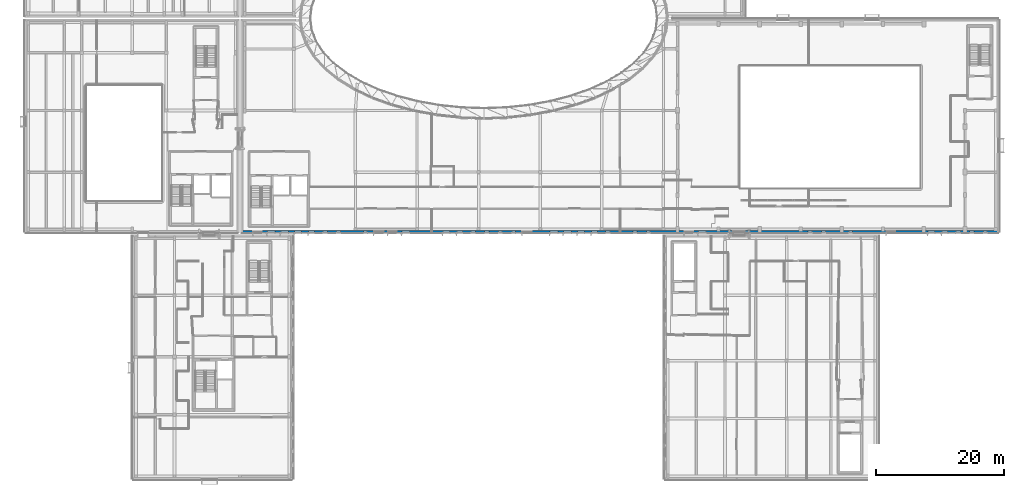
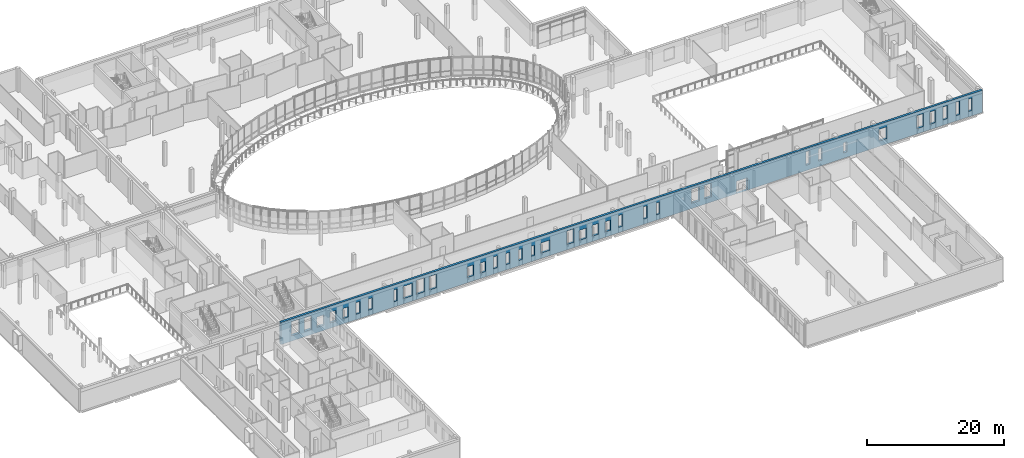
# One storey, part 47 of 84: 1 wall, 37 openings.
"""IFC4 building model written with IfcOpenShell, lengths in metres."""

from ifc_helpers import new_model, si_unit, direction, frame, frame_2d, origin, place, context, subcontext, project, spatial, rectangle, extrude, material, layer, layer_set, type_object, element, save


model = new_model("IFC4")

# Units and contexts
model_context = context("Model", 3, precision=1e-05, world=origin(), true_north=direction((0.0, 1.0)))
body_context = subcontext(model_context, "Body", "Model", "MODEL_VIEW")
ifc_project = project(units=[si_unit("LENGTHUNIT", "METRE"), si_unit("AREAUNIT", "SQUARE_METRE"), si_unit("VOLUMEUNIT", "CUBIC_METRE"), si_unit("PLANEANGLEUNIT", "RADIAN"), si_unit("MASSUNIT", "GRAM", prefix="KILO")], contexts=[model_context])

# Site, building, storey
site_placement = place(None, origin())
site = spatial("IfcSite", under=ifc_project, at=site_placement, CompositionType="ELEMENT")
building_placement = place(site_placement, origin())
building = spatial("IfcBuilding", under=site, at=building_placement, Name="Mzevani Central Library", CompositionType="ELEMENT")
storey_placement = place(building_placement, frame((0.0, 0.0, 5.39990234375)))
storey = spatial("IfcBuildingStorey", under=building, at=storey_placement, Name="L01", CompositionType="ELEMENT", Elevation=5.39990234375)

# Wall, openings
ifc_material = material(Name="Precast concrete C40/50", Category="concrete")
ifc_layer = layer(ifc_material, 0.3798828125, Name="Exterior Thermal Concrete Wall 380")
ifc_layer_set = layer_set([ifc_layer], Name="Precast concrete C40/50")
wall_type = type_object("IfcWallType", Name="Exterior Thermal Concrete Wall 380", PredefinedType="STANDARD", material=ifc_layer_set)
wall_placement = place(storey_placement, frame((164.2099609375, 42.68994140625, 0.0), z_axis=(0.0, 0.0, 1.0), x_axis=(-1.0, 0.0, 0.0)))
wall = element("IfcWall", 1, at=wall_placement, inside=storey, type_object=wall_type, Name="L01 V1 Exterior Thermal Wall (6)", PredefinedType="STANDARD", context=body_context, shape_type="SweptSolid", body=[
    extrude(rectangle(XDim=117.919921875, YDim=0.3798828125, at=frame_2d((58.9599609375, 0.0))), origin(), (0.0, 0.0, 1.0), 3.940185546875),
])
opening_1_placement = place(wall_placement, frame((39.510009765625, 0.0, 0.0)))
element("IfcOpeningElement", 2, at=opening_1_placement, cuts=wall, Name="Opening FD-06", PredefinedType="OPENING", context=body_context, shape_type="SweptSolid", body=[
    extrude(rectangle(XDim=1.800048828125, YDim=2.199951171875, at=frame_2d((0.89990234375, 1.10009765625))), frame((0.0, 0.199951171875, 0.0), z_axis=(0.0, -1.0, 0.0), x_axis=(1.0, 0.0, 0.0)), (0.0, 0.0, 1.0), 0.39990234375),
])
opening_2_placement = place(wall_placement, frame((1.75, 0.0, 0.949951171875)))
element("IfcOpeningElement", 3, at=opening_2_placement, cuts=wall, Name="Opening WS-04", PredefinedType="OPENING", context=body_context, shape_type="SweptSolid", body=[
    extrude(rectangle(XDim=0.60009765625, YDim=2.199951171875, at=frame_2d((0.300048828125, 1.10009765625))), frame((0.0, 0.199951171875, 0.0), z_axis=(0.0, -1.0, 0.0), x_axis=(1.0, 0.0, 0.0)), (0.0, 0.0, 1.0), 0.39990234375),
])
opening_3_placement = place(wall_placement, frame((3.824951171875, 0.0, 0.949951171875)))
element("IfcOpeningElement", 4, at=opening_3_placement, cuts=wall, Name="Opening WS-06", PredefinedType="OPENING", context=body_context, shape_type="SweptSolid", body=[
    extrude(rectangle(XDim=0.64990234375, YDim=2.39990234375, at=frame_2d((0.324951171875, 1.199951171875))), frame((0.0, 0.199951171875, 0.0), z_axis=(0.0, -1.0, 0.0), x_axis=(1.0, 0.0, 0.0)), (0.0, 0.0, 1.0), 0.39990234375),
])
opening_4_placement = place(wall_placement, frame((5.875, 0.0, 0.949951171875)))
element("IfcOpeningElement", 5, at=opening_4_placement, cuts=wall, Name="Opening WS-08", PredefinedType="OPENING", context=body_context, shape_type="SweptSolid", body=[
    extrude(rectangle(XDim=0.75, YDim=2.300048828125, at=frame_2d((0.375, 1.14990234375))), frame((0.0, 0.199951171875, 0.0), z_axis=(0.0, -1.0, 0.0), x_axis=(1.0, 0.0, 0.0)), (0.0, 0.0, 1.0), 0.39990234375),
])
opening_5_placement = place(wall_placement, frame((7.89990234375, 0.0, 0.949951171875)))
element("IfcOpeningElement", 6, at=opening_5_placement, cuts=wall, Name="Opening W-02", PredefinedType="OPENING", context=body_context, shape_type="SweptSolid", body=[
    extrude(rectangle(XDim=0.89990234375, YDim=2.199951171875, at=frame_2d((0.449951171875, 1.10009765625))), frame((0.0, 0.199951171875, 0.0), z_axis=(0.0, -1.0, 0.0), x_axis=(1.0, 0.0, 0.0)), (0.0, 0.0, 1.0), 0.39990234375),
])
opening_6_placement = place(wall_placement, frame((9.925048828125, 0.0, 0.949951171875)))
element("IfcOpeningElement", 7, at=opening_6_placement, cuts=wall, Name="Opening W-04", PredefinedType="OPENING", context=body_context, shape_type="SweptSolid", body=[
    extrude(rectangle(XDim=1.050048828125, YDim=2.300048828125, at=frame_2d((0.52490234375, 1.14990234375))), frame((0.0, 0.199951171875, 0.0), z_axis=(0.0, -1.0, 0.0), x_axis=(1.0, 0.0, 0.0)), (0.0, 0.0, 1.0), 0.39990234375),
])
opening_7_placement = place(wall_placement, frame((16.074951171875, 0.0, 0.949951171875)))
element("IfcOpeningElement", 8, at=opening_7_placement, cuts=wall, Name="Opening W-08", PredefinedType="OPENING", context=body_context, shape_type="SweptSolid", body=[
    extrude(rectangle(XDim=1.35009765625, YDim=2.10009765625, at=frame_2d((0.675048828125, 1.050048828125))), frame((0.0, 0.199951171875, 0.0), z_axis=(0.0, -1.0, 0.0), x_axis=(1.0, 0.0, 0.0)), (0.0, 0.0, 1.0), 0.39990234375),
])
opening_8_placement = place(wall_placement, frame((22.77490234375, 0.0, 0.949951171875)))
element("IfcOpeningElement", 9, at=opening_8_placement, cuts=wall, Name="Opening WS-01", PredefinedType="OPENING", context=body_context, shape_type="SweptSolid", body=[
    extrude(rectangle(XDim=0.550048828125, YDim=1.800048828125, at=frame_2d((0.27490234375, 0.89990234375))), frame((0.0, 0.199951171875, 0.0), z_axis=(0.0, -1.0, 0.0), x_axis=(1.0, 0.0, 0.0)), (0.0, 0.0, 1.0), 0.39990234375),
])
opening_9_placement = place(wall_placement, frame((26.949951171875, 0.0, 0.949951171875)))
element("IfcOpeningElement", 10, at=opening_9_placement, cuts=wall, Name="Opening WS-04", PredefinedType="OPENING", context=body_context, shape_type="SweptSolid", body=[
    extrude(rectangle(XDim=0.60009765625, YDim=2.199951171875, at=frame_2d((0.300048828125, 1.10009765625))), frame((0.0, 0.199951171875, 0.0), z_axis=(0.0, -1.0, 0.0), x_axis=(1.0, 0.0, 0.0)), (0.0, 0.0, 1.0), 0.39990234375),
])
opening_10_placement = place(wall_placement, frame((29.02490234375, 0.0, 0.949951171875)))
element("IfcOpeningElement", 11, at=opening_10_placement, cuts=wall, Name="Opening WS-06", PredefinedType="OPENING", context=body_context, shape_type="SweptSolid", body=[
    extrude(rectangle(XDim=0.64990234375, YDim=2.39990234375, at=frame_2d((0.324951171875, 1.199951171875))), frame((0.0, 0.199951171875, 0.0), z_axis=(0.0, -1.0, 0.0), x_axis=(1.0, 0.0, 0.0)), (0.0, 0.0, 1.0), 0.39990234375),
])
opening_11_placement = place(wall_placement, frame((45.550048828125, 0.0, 0.949951171875)))
element("IfcOpeningElement", 12, at=opening_11_placement, cuts=wall, Name="Opening W-07", PredefinedType="OPENING", context=body_context, shape_type="SweptSolid", body=[
    extrude(rectangle(XDim=1.199951171875, YDim=2.39990234375, at=frame_2d((0.60009765625, 1.199951171875))), frame((0.0, 0.199951171875, 0.0), z_axis=(0.0, -1.0, 0.0), x_axis=(1.0, 0.0, 0.0)), (0.0, 0.0, 1.0), 0.39990234375),
])
opening_12_placement = place(wall_placement, frame((47.574951171875, 0.0, 0.949951171875)))
element("IfcOpeningElement", 13, at=opening_12_placement, cuts=wall, Name="Opening W-09", PredefinedType="OPENING", context=body_context, shape_type="SweptSolid", body=[
    extrude(rectangle(XDim=1.35009765625, YDim=2.5, at=frame_2d((0.675048828125, 1.25))), frame((0.0, 0.199951171875, 0.0), z_axis=(0.0, -1.0, 0.0), x_axis=(1.0, 0.0, 0.0)), (0.0, 0.0, 1.0), 0.39990234375),
])
opening_13_placement = place(wall_placement, frame((54.27490234375, 0.0, 0.949951171875)))
element("IfcOpeningElement", 14, at=opening_13_placement, cuts=wall, Name="Opening WS-02", PredefinedType="OPENING", context=body_context, shape_type="SweptSolid", body=[
    extrude(rectangle(XDim=0.550048828125, YDim=2.10009765625, at=frame_2d((0.27490234375, 1.050048828125))), frame((0.0, 0.199951171875, 0.0), z_axis=(0.0, -1.0, 0.0), x_axis=(1.0, 0.0, 0.0)), (0.0, 0.0, 1.0), 0.39990234375),
])
opening_14_placement = place(wall_placement, frame((56.35009765625, 0.0, 0.949951171875)))
element("IfcOpeningElement", 15, at=opening_14_placement, cuts=wall, Name="Opening WS-04", PredefinedType="OPENING", context=body_context, shape_type="SweptSolid", body=[
    extrude(rectangle(XDim=0.60009765625, YDim=2.199951171875, at=frame_2d((0.300048828125, 1.10009765625))), frame((0.0, 0.199951171875, 0.0), z_axis=(0.0, -1.0, 0.0), x_axis=(1.0, 0.0, 0.0)), (0.0, 0.0, 1.0), 0.39990234375),
])
opening_15_placement = place(wall_placement, frame((60.5, 0.0, 0.949951171875)))
element("IfcOpeningElement", 16, at=opening_15_placement, cuts=wall, Name="Opening WS-07", PredefinedType="OPENING", context=body_context, shape_type="SweptSolid", body=[
    extrude(rectangle(XDim=0.699951171875, YDim=2.10009765625, at=frame_2d((0.35009765625, 1.050048828125))), frame((0.0, 0.199951171875, 0.0), z_axis=(0.0, -1.0, 0.0), x_axis=(1.0, 0.0, 0.0)), (0.0, 0.0, 1.0), 0.39990234375),
])
opening_16_placement = place(wall_placement, frame((62.5, 0.0, 0.949951171875)))
element("IfcOpeningElement", 17, at=opening_16_placement, cuts=wall, Name="Opening W-01", PredefinedType="OPENING", context=body_context, shape_type="SweptSolid", body=[
    extrude(rectangle(XDim=0.89990234375, YDim=1.800048828125, at=frame_2d((0.449951171875, 0.89990234375))), frame((0.0, 0.199951171875, 0.0), z_axis=(0.0, -1.0, 0.0), x_axis=(1.0, 0.0, 0.0)), (0.0, 0.0, 1.0), 0.39990234375),
])
opening_17_placement = place(wall_placement, frame((64.52490234375, 0.0, 0.949951171875)))
element("IfcOpeningElement", 18, at=opening_17_placement, cuts=wall, Name="Opening W-03", PredefinedType="OPENING", context=body_context, shape_type="SweptSolid", body=[
    extrude(rectangle(XDim=1.050048828125, YDim=1.89990234375, at=frame_2d((0.52490234375, 0.949951171875))), frame((0.0, 0.199951171875, 0.0), z_axis=(0.0, -1.0, 0.0), x_axis=(1.0, 0.0, 0.0)), (0.0, 0.0, 1.0), 0.39990234375),
])
opening_18_placement = place(wall_placement, frame((66.550048828125, 0.0, 0.949951171875)))
element("IfcOpeningElement", 19, at=opening_18_placement, cuts=wall, Name="Opening W-05", PredefinedType="OPENING", context=body_context, shape_type="SweptSolid", body=[
    extrude(rectangle(XDim=1.199951171875, YDim=1.800048828125, at=frame_2d((0.60009765625, 0.89990234375))), frame((0.0, 0.199951171875, 0.0), z_axis=(0.0, -1.0, 0.0), x_axis=(1.0, 0.0, 0.0)), (0.0, 0.0, 1.0), 0.39990234375),
])
opening_19_placement = place(wall_placement, frame((68.64990234375, 0.0, 0.949951171875)))
element("IfcOpeningElement", 20, at=opening_19_placement, cuts=wall, Name="Opening W-07", PredefinedType="OPENING", context=body_context, shape_type="SweptSolid", body=[
    extrude(rectangle(XDim=1.199951171875, YDim=2.39990234375, at=frame_2d((0.60009765625, 1.199951171875))), frame((0.0, 0.199951171875, 0.0), z_axis=(0.0, -1.0, 0.0), x_axis=(1.0, 0.0, 0.0)), (0.0, 0.0, 1.0), 0.39990234375),
])
opening_20_placement = place(wall_placement, frame((72.699951171875, 0.0, 0.949951171875)))
element("IfcOpeningElement", 21, at=opening_20_placement, cuts=wall, Name="Opening W-10", PredefinedType="OPENING", context=body_context, shape_type="SweptSolid", body=[
    extrude(rectangle(XDim=1.5, YDim=1.800048828125, at=frame_2d((0.75, 0.89990234375))), frame((0.0, 0.199951171875, 0.0), z_axis=(0.0, -1.0, 0.0), x_axis=(1.0, 0.0, 0.0)), (0.0, 0.0, 1.0), 0.39990234375),
])
opening_21_placement = place(wall_placement, frame((75.27490234375, 0.0, 0.949951171875)))
element("IfcOpeningElement", 22, at=opening_21_placement, cuts=wall, Name="Opening WS-01", PredefinedType="OPENING", context=body_context, shape_type="SweptSolid", body=[
    extrude(rectangle(XDim=0.550048828125, YDim=1.800048828125, at=frame_2d((0.27490234375, 0.89990234375))), frame((0.0, 0.199951171875, 0.0), z_axis=(0.0, -1.0, 0.0), x_axis=(1.0, 0.0, 0.0)), (0.0, 0.0, 1.0), 0.39990234375),
])
opening_22_placement = place(wall_placement, frame((77.35009765625, 0.0, 0.949951171875)))
element("IfcOpeningElement", 23, at=opening_22_placement, cuts=wall, Name="Opening WS-03", PredefinedType="OPENING", context=body_context, shape_type="SweptSolid", body=[
    extrude(rectangle(XDim=0.60009765625, YDim=1.89990234375, at=frame_2d((0.300048828125, 0.949951171875))), frame((0.0, 0.199951171875, 0.0), z_axis=(0.0, -1.0, 0.0), x_axis=(1.0, 0.0, 0.0)), (0.0, 0.0, 1.0), 0.39990234375),
])
opening_23_placement = place(wall_placement, frame((79.425048828125, 0.0, 0.949951171875)))
element("IfcOpeningElement", 24, at=opening_23_placement, cuts=wall, Name="Opening WS-05", PredefinedType="OPENING", context=body_context, shape_type="SweptSolid", body=[
    extrude(rectangle(XDim=0.64990234375, YDim=2.0, at=frame_2d((0.324951171875, 1.0))), frame((0.0, 0.199951171875, 0.0), z_axis=(0.0, -1.0, 0.0), x_axis=(1.0, 0.0, 0.0)), (0.0, 0.0, 1.0), 0.39990234375),
])
opening_24_placement = place(wall_placement, frame((81.5, 0.0, 0.949951171875)))
element("IfcOpeningElement", 25, at=opening_24_placement, cuts=wall, Name="Opening WS-07", PredefinedType="OPENING", context=body_context, shape_type="SweptSolid", body=[
    extrude(rectangle(XDim=0.699951171875, YDim=2.10009765625, at=frame_2d((0.35009765625, 1.050048828125))), frame((0.0, 0.199951171875, 0.0), z_axis=(0.0, -1.0, 0.0), x_axis=(1.0, 0.0, 0.0)), (0.0, 0.0, 1.0), 0.39990234375),
])
opening_25_placement = place(wall_placement, frame((83.5, 0.0, 0.949951171875)))
element("IfcOpeningElement", 26, at=opening_25_placement, cuts=wall, Name="Opening W-01", PredefinedType="OPENING", context=body_context, shape_type="SweptSolid", body=[
    extrude(rectangle(XDim=0.89990234375, YDim=1.800048828125, at=frame_2d((0.449951171875, 0.89990234375))), frame((0.0, 0.199951171875, 0.0), z_axis=(0.0, -1.0, 0.0), x_axis=(1.0, 0.0, 0.0)), (0.0, 0.0, 1.0), 0.39990234375),
])
opening_26_placement = place(wall_placement, frame((85.52490234375, 0.0, 0.949951171875)))
element("IfcOpeningElement", 27, at=opening_26_placement, cuts=wall, Name="Opening W-03", PredefinedType="OPENING", context=body_context, shape_type="SweptSolid", body=[
    extrude(rectangle(XDim=1.050048828125, YDim=1.89990234375, at=frame_2d((0.52490234375, 0.949951171875))), frame((0.0, 0.199951171875, 0.0), z_axis=(0.0, -1.0, 0.0), x_axis=(1.0, 0.0, 0.0)), (0.0, 0.0, 1.0), 0.39990234375),
])
opening_27_placement = place(wall_placement, frame((91.75, 0.0, 0.949951171875)))
element("IfcOpeningElement", 28, at=opening_27_placement, cuts=wall, Name="Opening W-07", PredefinedType="OPENING", context=body_context, shape_type="SweptSolid", body=[
    extrude(rectangle(XDim=1.199951171875, YDim=2.39990234375, at=frame_2d((0.60009765625, 1.199951171875))), frame((0.0, 0.199951171875, 0.0), z_axis=(0.0, -1.0, 0.0), x_axis=(1.0, 0.0, 0.0)), (0.0, 0.0, 1.0), 0.39990234375),
])
opening_28_placement = place(wall_placement, frame((93.77490234375, 0.0, 0.949951171875)))
element("IfcOpeningElement", 29, at=opening_28_placement, cuts=wall, Name="Opening W-09", PredefinedType="OPENING", context=body_context, shape_type="SweptSolid", body=[
    extrude(rectangle(XDim=1.35009765625, YDim=2.5, at=frame_2d((0.675048828125, 1.25))), frame((0.0, 0.199951171875, 0.0), z_axis=(0.0, -1.0, 0.0), x_axis=(1.0, 0.0, 0.0)), (0.0, 0.0, 1.0), 0.39990234375),
])
opening_29_placement = place(wall_placement, frame((95.800048828125, 0.0, 0.949951171875)))
element("IfcOpeningElement", 30, at=opening_29_placement, cuts=wall, Name="Opening W-11", PredefinedType="OPENING", context=body_context, shape_type="SweptSolid", body=[
    extrude(rectangle(XDim=1.5, YDim=2.199951171875, at=frame_2d((0.75, 1.10009765625))), frame((0.0, 0.199951171875, 0.0), z_axis=(0.0, -1.0, 0.0), x_axis=(1.0, 0.0, 0.0)), (0.0, 0.0, 1.0), 0.39990234375),
])
opening_30_placement = place(wall_placement, frame((98.375, 0.0, 0.949951171875)))
element("IfcOpeningElement", 31, at=opening_30_placement, cuts=wall, Name="Opening WS-02", PredefinedType="OPENING", context=body_context, shape_type="SweptSolid", body=[
    extrude(rectangle(XDim=0.550048828125, YDim=2.10009765625, at=frame_2d((0.27490234375, 1.050048828125))), frame((0.0, 0.199951171875, 0.0), z_axis=(0.0, -1.0, 0.0), x_axis=(1.0, 0.0, 0.0)), (0.0, 0.0, 1.0), 0.39990234375),
])
opening_31_placement = place(wall_placement, frame((102.52490234375, 0.0, 0.949951171875)))
element("IfcOpeningElement", 32, at=opening_31_placement, cuts=wall, Name="Opening WS-05", PredefinedType="OPENING", context=body_context, shape_type="SweptSolid", body=[
    extrude(rectangle(XDim=0.64990234375, YDim=2.0, at=frame_2d((0.324951171875, 1.0))), frame((0.0, 0.199951171875, 0.0), z_axis=(0.0, -1.0, 0.0), x_axis=(1.0, 0.0, 0.0)), (0.0, 0.0, 1.0), 0.39990234375),
])
opening_32_placement = place(wall_placement, frame((104.60009765625, 0.0, 0.949951171875)))
element("IfcOpeningElement", 33, at=opening_32_placement, cuts=wall, Name="Opening WS-07", PredefinedType="OPENING", context=body_context, shape_type="SweptSolid", body=[
    extrude(rectangle(XDim=0.699951171875, YDim=2.10009765625, at=frame_2d((0.35009765625, 1.050048828125))), frame((0.0, 0.199951171875, 0.0), z_axis=(0.0, -1.0, 0.0), x_axis=(1.0, 0.0, 0.0)), (0.0, 0.0, 1.0), 0.39990234375),
])
opening_33_placement = place(wall_placement, frame((106.60009765625, 0.0, 0.949951171875)))
element("IfcOpeningElement", 34, at=opening_33_placement, cuts=wall, Name="Opening W-01", PredefinedType="OPENING", context=body_context, shape_type="SweptSolid", body=[
    extrude(rectangle(XDim=0.89990234375, YDim=1.800048828125, at=frame_2d((0.449951171875, 0.89990234375))), frame((0.0, 0.199951171875, 0.0), z_axis=(0.0, -1.0, 0.0), x_axis=(1.0, 0.0, 0.0)), (0.0, 0.0, 1.0), 0.39990234375),
])
opening_34_placement = place(wall_placement, frame((108.625, 0.0, 0.949951171875)))
element("IfcOpeningElement", 35, at=opening_34_placement, cuts=wall, Name="Opening W-03", PredefinedType="OPENING", context=body_context, shape_type="SweptSolid", body=[
    extrude(rectangle(XDim=1.050048828125, YDim=1.89990234375, at=frame_2d((0.52490234375, 0.949951171875))), frame((0.0, 0.199951171875, 0.0), z_axis=(0.0, -1.0, 0.0), x_axis=(1.0, 0.0, 0.0)), (0.0, 0.0, 1.0), 0.39990234375),
])
opening_35_placement = place(wall_placement, frame((110.64990234375, 0.0, 0.949951171875)))
element("IfcOpeningElement", 36, at=opening_35_placement, cuts=wall, Name="Opening W-05", PredefinedType="OPENING", context=body_context, shape_type="SweptSolid", body=[
    extrude(rectangle(XDim=1.199951171875, YDim=1.800048828125, at=frame_2d((0.60009765625, 0.89990234375))), frame((0.0, 0.199951171875, 0.0), z_axis=(0.0, -1.0, 0.0), x_axis=(1.0, 0.0, 0.0)), (0.0, 0.0, 1.0), 0.39990234375),
])
opening_36_placement = place(wall_placement, frame((112.75, 0.0, 0.949951171875)))
element("IfcOpeningElement", 37, at=opening_36_placement, cuts=wall, Name="Opening W-07", PredefinedType="OPENING", context=body_context, shape_type="SweptSolid", body=[
    extrude(rectangle(XDim=1.199951171875, YDim=2.39990234375, at=frame_2d((0.60009765625, 1.199951171875))), frame((0.0, 0.199951171875, 0.0), z_axis=(0.0, -1.0, 0.0), x_axis=(1.0, 0.0, 0.0)), (0.0, 0.0, 1.0), 0.39990234375),
])
opening_37_placement = place(wall_placement, frame((114.77490234375, 0.0, 0.949951171875)))
element("IfcOpeningElement", 38, at=opening_37_placement, cuts=wall, Name="Opening W-09", PredefinedType="OPENING", context=body_context, shape_type="SweptSolid", body=[
    extrude(rectangle(XDim=1.35009765625, YDim=2.5, at=frame_2d((0.675048828125, 1.25))), frame((0.0, 0.199951171875, 0.0), z_axis=(0.0, -1.0, 0.0), x_axis=(1.0, 0.0, 0.0)), (0.0, 0.0, 1.0), 0.39990234375),
])

save(model, "model.ifc")
